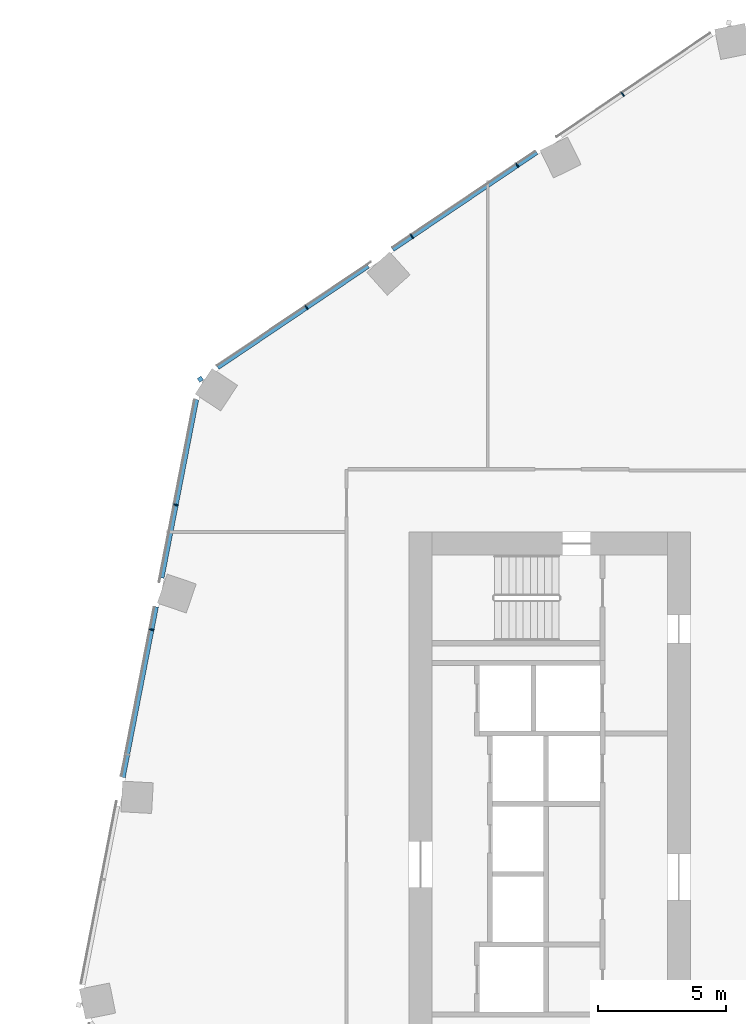
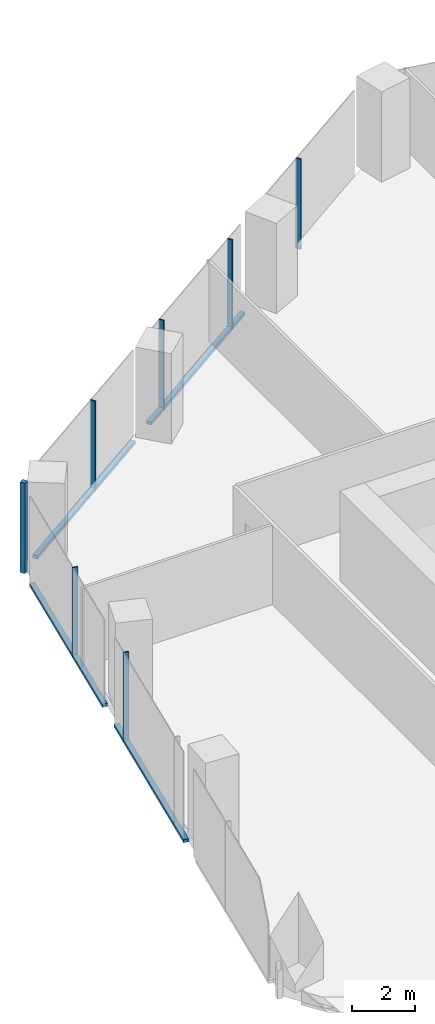
# One storey, part 10 of 32: 11 members, 2 elements without a shape of their own.
"""IFC4 building model written with IfcOpenShell, lengths in metres."""

from ifc_helpers import new_model, si_unit, direction, frame, origin, origin_2d, place, context, subcontext, project, spatial, rectangle, extrude, material, material_profile, profile_set, type_object, element, aggregate, save


model = new_model("IFC4")

# Units and contexts
model_context = context("Model", 3, precision=1e-05, world=origin(), true_north=direction((0.0, 1.0)))
body_context = subcontext(model_context, "Body", "Model", "MODEL_VIEW")
ifc_project = project(units=[si_unit("LENGTHUNIT", "METRE"), si_unit("AREAUNIT", "SQUARE_METRE"), si_unit("VOLUMEUNIT", "CUBIC_METRE"), si_unit("PLANEANGLEUNIT", "RADIAN"), si_unit("MASSUNIT", "GRAM", prefix="KILO")], contexts=[model_context])

# Site, building, storey
site_placement = place(None, origin())
site = spatial("IfcSite", under=ifc_project, at=site_placement, CompositionType="ELEMENT")
building_placement = place(site_placement, origin())
building = spatial("IfcBuilding", under=site, at=building_placement, Name="Orlundy Tower", CompositionType="ELEMENT")
storey_placement = place(building_placement, frame((0.0, 0.0, 149.10009765625)))
storey = spatial("IfcBuildingStorey", under=building, at=storey_placement, Name="L38", CompositionType="ELEMENT", Elevation=149.10009765625)

# Curtain wall, member
ifc_material_1 = material(Name="Aluminium bronze anodised", Category="aluminium")
curtain_wall_type = type_object("IfcCurtainWallType", Name="CW1 wall", PredefinedType="NOTDEFINED", material=ifc_material_1)
curtain_wall_1_placement = place(storey_placement, origin())
curtain_wall_1 = element("IfcCurtainWall", 1, at=curtain_wall_1_placement, inside=storey, type_object=curtain_wall_type, Name="CW1 run 015", PredefinedType="NOTDEFINED")
ifc_material_2 = material(Name="Aluminium bronze anodised", Category="aluminium")
ifc_material_profile_1 = material_profile(ifc_material_2, rectangle(XDim=0.179931640625, YDim=0.179931640625, at=origin_2d()), Name="CW1 corner post 180x180")
ifc_profile_set_1 = profile_set([ifc_material_profile_1], Name="Aluminium bronze anodised")
member_type_1 = type_object("IfcMemberType", Name="CW1 corner post 180x180", PredefinedType="MULLION", material=ifc_profile_set_1)
member_1_placement = place(storey_placement, frame((-27.1591796875, 17.975830078125, -0.400146484375), z_axis=(0.0, 0.0, 1.0), x_axis=(-0.559204698608, 0.829029616512, 0.0)))
member_1 = element("IfcMember", 2, at=member_1_placement, type_object=member_type_1, Name="CW1 mullion 39", PredefinedType="MULLION", context=body_context, shape_type="SweptSolid", body=[
    extrude(rectangle(XDim=0.179931640625, YDim=0.179931640625, at=origin_2d()), origin(), (0.0, 0.0, 1.0), 3.5),
])

# Curtain wall, members
curtain_wall_2_placement = place(storey_placement, origin())
curtain_wall_2 = element("IfcCurtainWall", 3, at=curtain_wall_2_placement, inside=storey, type_object=curtain_wall_type, Name="CW1 run 014", PredefinedType="NOTDEFINED")
ifc_material_3 = material(Name="Aluminium bronze anodised", Category="aluminium")
ifc_material_profile_2 = material_profile(ifc_material_3, rectangle(XDim=0.179931640625, YDim=0.050048828125, at=origin_2d()), Name="CW1 mullion 50x180")
ifc_profile_set_2 = profile_set([ifc_material_profile_2], Name="Aluminium bronze anodised")
member_type_2 = type_object("IfcMemberType", Name="CW1 mullion 50x180", PredefinedType="MULLION", material=ifc_profile_set_2)
member_2_placement = place(storey_placement, frame((-29.063232421875, 8.1806640625, -0.400146484375), z_axis=(0.0, 0.0, 1.0), x_axis=(-0.981627952333, 0.19080503976, 0.0)))
member_2 = element("IfcMember", 4, at=member_2_placement, type_object=member_type_2, Name="CW1 mullion 37", PredefinedType="MULLION", context=body_context, shape_type="SweptSolid", body=[
    extrude(rectangle(XDim=0.179931640625, YDim=0.050048828125, at=origin_2d()), origin(), (0.0, 0.0, 1.0), 3.5),
])
member_3_placement = place(storey_placement, frame((-28.11474609375, 13.06005859375, -0.400146484375), z_axis=(0.0, 0.0, 1.0), x_axis=(-0.981627952333, 0.19080503976, 0.0)))
member_3 = element("IfcMember", 5, at=member_3_placement, type_object=member_type_2, Name="CW1 mullion 38", PredefinedType="MULLION", context=body_context, shape_type="SweptSolid", body=[
    extrude(rectangle(XDim=0.179931640625, YDim=0.050048828125, at=origin_2d()), origin(), (0.0, 0.0, 1.0), 3.5),
])

# Member
member_4_placement = place(storey_placement, frame((-23.007568359375, 20.776123046875, -0.400146484375), z_axis=(0.0, 0.0, 1.0), x_axis=(-0.559204698608, 0.829029616512, 0.0)))
member_4 = element("IfcMember", 6, at=member_4_placement, type_object=member_type_2, Name="CW1 mullion 40", PredefinedType="MULLION", context=body_context, shape_type="SweptSolid", body=[
    extrude(rectangle(XDim=0.179931640625, YDim=0.050048828125, at=origin_2d()), origin(), (0.0, 0.0, 1.0), 3.5),
])

member_5_placement = place(storey_placement, frame((-18.88671875, 23.555908203125, -0.400146484375), z_axis=(0.0, 0.0, 1.0), x_axis=(-0.559204698608, 0.829029616512, 0.0)))
member_5 = element("IfcMember", 7, at=member_5_placement, type_object=member_type_2, Name="CW1 mullion 41", PredefinedType="MULLION", context=body_context, shape_type="SweptSolid", body=[
    extrude(rectangle(XDim=0.179931640625, YDim=0.050048828125, at=origin_2d()), origin(), (0.0, 0.0, 1.0), 3.5),
])

member_6_placement = place(storey_placement, frame((-14.765869140625, 26.33544921875, -0.400146484375), z_axis=(0.0, 0.0, 1.0), x_axis=(-0.559204698608, 0.829029616512, 0.0)))
member_6 = element("IfcMember", 8, at=member_6_placement, type_object=member_type_2, Name="CW1 mullion 42", PredefinedType="MULLION", context=body_context, shape_type="SweptSolid", body=[
    extrude(rectangle(XDim=0.179931640625, YDim=0.050048828125, at=origin_2d()), origin(), (0.0, 0.0, 1.0), 3.5),
])

member_7_placement = place(storey_placement, frame((-10.64501953125, 29.114990234375, -0.400146484375), z_axis=(0.0, 0.0, 1.0), x_axis=(-0.559204698608, 0.829029616512, 0.0)))
member_7 = element("IfcMember", 9, at=member_7_placement, type_object=member_type_2, Name="CW1 mullion 43", PredefinedType="MULLION", context=body_context, shape_type="SweptSolid", body=[
    extrude(rectangle(XDim=0.179931640625, YDim=0.050048828125, at=origin_2d()), origin(), (0.0, 0.0, 1.0), 3.5),
])

ifc_material_4 = material(Name="Aluminium bronze anodised", Category="aluminium")
ifc_material_profile_3 = material_profile(ifc_material_4, rectangle(XDim=0.179931640625, YDim=0.1201171875, at=origin_2d()), Name="CW1 transom 180x120")
ifc_profile_set_3 = profile_set([ifc_material_profile_3], Name="Aluminium bronze anodised")
member_type_3 = type_object("IfcMemberType", Name="CW1 transom 180x120", PredefinedType="USERDEFINED", material=ifc_profile_set_3)
member_8_placement = place(storey_placement, frame((-30.185546875, 2.406494140625, -0.340087890625), z_axis=(0.190799450764, 0.981629038684, 0.0), x_axis=(-0.981629038684, 0.190799450764, 0.0)))
member_8 = element("IfcMember", 10, at=member_8_placement, type_object=member_type_3, Name="CW1 transom", ObjectType="TRANSOM", PredefinedType="USERDEFINED", context=body_context, shape_type="SweptSolid", body=[
    extrude(rectangle(XDim=0.179931640625, YDim=0.1201171875, at=origin_2d()), origin(), (0.0, 0.0, 1.0), 6.79443359375),
])

member_9_placement = place(storey_placement, frame((-28.6708984375, 10.19921875, -0.340087890625), z_axis=(0.190824629914, 0.981624144272, 0.0), x_axis=(-0.981624144272, 0.190824629914, 0.0)))
member_9 = element("IfcMember", 11, at=member_9_placement, type_object=member_type_3, Name="CW1 transom", ObjectType="TRANSOM", PredefinedType="USERDEFINED", context=body_context, shape_type="SweptSolid", body=[
    extrude(rectangle(XDim=0.179931640625, YDim=0.1201171875, at=origin_2d()), origin(), (0.0, 0.0, 1.0), 7.11083984375),
])

aggregate(curtain_wall_2, [member_2, member_3, member_8, member_9])

member_10_placement = place(storey_placement, frame((-26.485595703125, 18.43017578125, -0.340087890625), z_axis=(0.82903432821, 0.559197713381, 0.0), x_axis=(-0.559197713381, 0.82903432821, 0.0)))
member_10 = element("IfcMember", 12, at=member_10_placement, type_object=member_type_3, Name="CW1 transom", ObjectType="TRANSOM", PredefinedType="USERDEFINED", context=body_context, shape_type="SweptSolid", body=[
    extrude(rectangle(XDim=0.179931640625, YDim=0.1201171875, at=origin_2d()), origin(), (0.0, 0.0, 1.0), 7.1025390625),
])

member_11_placement = place(storey_placement, frame((-19.642822265625, 23.0458984375, -0.340087890625), z_axis=(0.829031068429, 0.559202546114, 0.0), x_axis=(-0.559202546114, 0.829031068429, 0.0)))
member_11 = element("IfcMember", 13, at=member_11_placement, type_object=member_type_3, Name="CW1 transom", ObjectType="TRANSOM", PredefinedType="USERDEFINED", context=body_context, shape_type="SweptSolid", body=[
    extrude(rectangle(XDim=0.179931640625, YDim=0.1201171875, at=origin_2d()), origin(), (0.0, 0.0, 1.0), 6.794921875),
])

aggregate(curtain_wall_1, [member_1, member_4, member_5, member_6, member_7, member_10, member_11])

save(model, "model.ifc")
